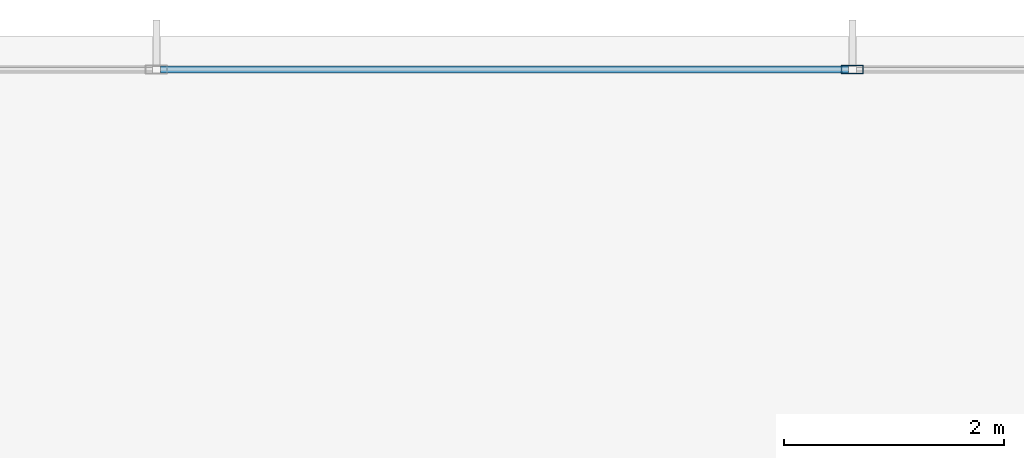
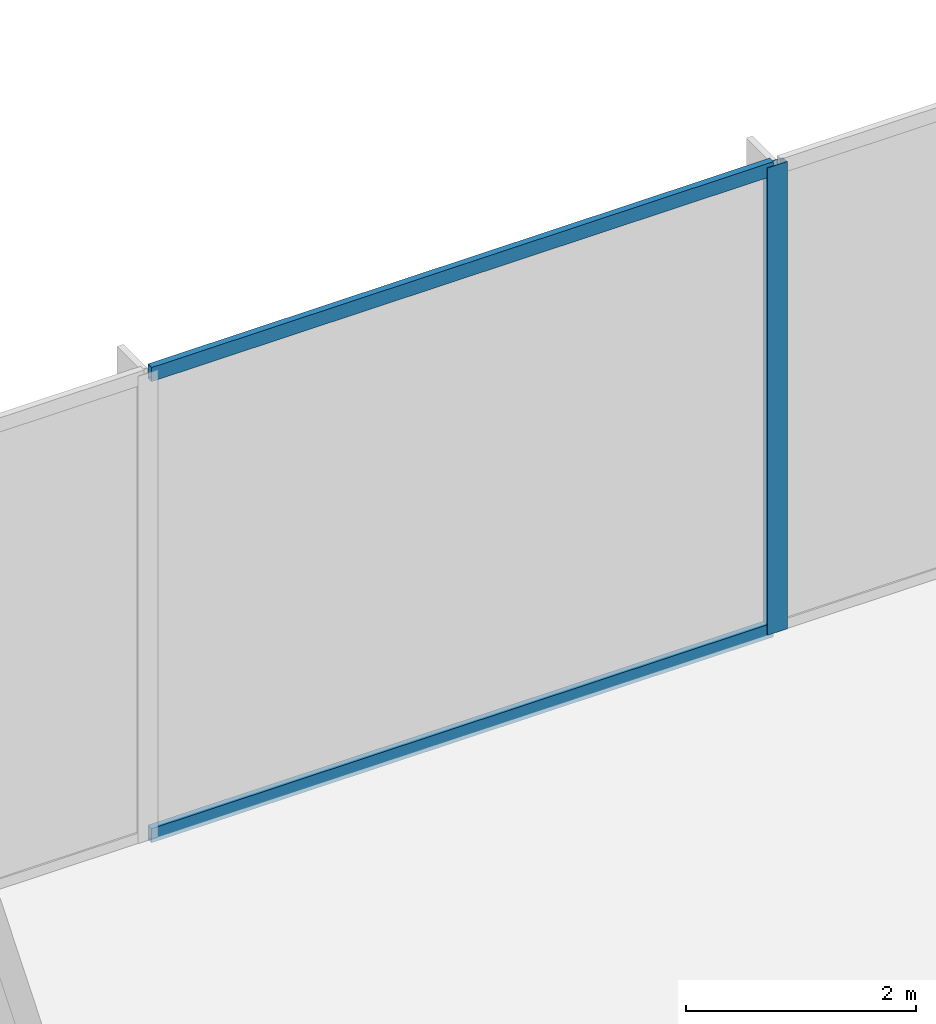
# One storey, part 26 of 43: 3 members, 1 element without a shape of its own.
"""IFC4 building model written with IfcOpenShell, lengths in metres."""

import ifcopenshell
import ifcopenshell.guid

model = None  # the IFC model being written
_history = None  # IfcOwnerHistory: only IFC2X3 demands one
_inside = {}  # id of a spatial element -> (the spatial element, [elements in it])
_under = {}  # id of a project, library or spatial element -> (it, [spatial elements below it])
_declared = {}  # id of a project -> (the project, [libraries it declares])
_typed = {}  # id of a type object -> (the type object, [elements of that type])
_made_of = {}  # id of a material, layer set ... -> (it, [elements and type objects made of it])


def new_model(schema):
    """Start an empty IFC model of exactly this schema.

    Asked for "IFC4X3", IfcOpenShell would pick the latest addendum, in which some entities
    have other attributes; the version numbers below select the first issue.
    IFC2X3 requires an IfcOwnerHistory on every rooted entity: one is made here for all.
    """
    global model, _history
    if schema == "IFC4X3":
        model = ifcopenshell.file(schema_version=(4, 3, 0, 0))
    else:
        model = ifcopenshell.file(schema=schema)
    _inside.clear()
    _under.clear()
    _declared.clear()
    _typed.clear()
    _made_of.clear()
    _history = None
    if model.schema == "IFC2X3":
        org = make("IfcOrganization", Name="unknown")
        user = make(
            "IfcPersonAndOrganization",
            ThePerson=make("IfcPerson", FamilyName="unknown"),
            TheOrganization=org,
        )
        app = make(
            "IfcApplication",
            ApplicationDeveloper=org,
            Version="unknown",
            ApplicationFullName="unknown",
            ApplicationIdentifier="unknown",
        )
        _history = make(
            "IfcOwnerHistory",
            OwningUser=user,
            OwningApplication=app,
            ChangeAction="ADDED",
            CreationDate=0,
        )
    return model


def make(cls, **values):
    """One entity of the class cls with the attributes given. An attribute that is None is left unset."""
    return model.create_entity(
        cls, **{name: value for name, value in values.items() if value is not None}
    )


def rooted(cls, **values):
    """An entity with a GlobalId (a new one), such as an element, a storey or a relation."""
    return make(cls, GlobalId=ifcopenshell.guid.new(), OwnerHistory=_history, **values)


def si_unit(unit_type, name, prefix=None):
    """IfcSIUnit, for example si_unit("LENGTHUNIT", "METRE", prefix="MILLI")."""
    return make("IfcSIUnit", UnitType=unit_type, Prefix=prefix, Name=name)


def assignment(units):
    """IfcUnitAssignment: the units of a project."""
    return None if units is None else make("IfcUnitAssignment", Units=units)


def point(xyz):
    """IfcCartesianPoint."""
    return None if xyz is None else make("IfcCartesianPoint", Coordinates=xyz)


def direction(xyz):
    """IfcDirection."""
    return None if xyz is None else make("IfcDirection", DirectionRatios=xyz)


def frame(location, z_axis=None, x_axis=None):
    """IfcAxis2Placement3D, a coordinate frame: its origin and axes. An axis left out is left unset."""
    return make(
        "IfcAxis2Placement3D",
        Location=point(location),
        Axis=direction(z_axis),
        RefDirection=direction(x_axis),
    )


def frame_2d(location, x_axis=None):
    """IfcAxis2Placement2D, a coordinate frame in the plane: its origin and x axis."""
    return make(
        "IfcAxis2Placement2D", Location=point(location), RefDirection=direction(x_axis)
    )


def origin():
    """The frame at (0, 0, 0) with its axes left unset."""
    return frame((0.0, 0.0, 0.0))


def origin_2d():
    """The frame at (0, 0) in the plane with its x axis left unset."""
    return frame_2d((0.0, 0.0))


def place(relative_to, where):
    """IfcLocalPlacement: puts the frame where relative to a parent placement (None: the world)."""
    return make(
        "IfcLocalPlacement", PlacementRelTo=relative_to, RelativePlacement=where
    )


def context(
    kind, dimensions, precision=None, world=None, true_north=None, identifier=None
):
    """IfcGeometricRepresentationContext, for example the 3D "Model" context."""
    return make(
        "IfcGeometricRepresentationContext",
        ContextIdentifier=identifier,
        ContextType=kind,
        CoordinateSpaceDimension=dimensions,
        Precision=precision,
        WorldCoordinateSystem=world,
        TrueNorth=true_north,
    )


def subcontext(parent, identifier, kind, view, scale=None):
    """IfcGeometricRepresentationSubContext, for example "Body" below "Model"."""
    return make(
        "IfcGeometricRepresentationSubContext",
        ContextIdentifier=identifier,
        ContextType=kind,
        ParentContext=parent,
        TargetScale=scale,
        TargetView=view,
    )


def project(units=None, contexts=None):
    """IfcProject with its units and contexts."""
    return rooted(
        "IfcProject",
        Name="project",
        RepresentationContexts=contexts,
        UnitsInContext=assignment(units),
    )


def spatial(cls, under=None, at=None, **own):
    """A site, building, storey or space (cls), placed at a placement, below another one or the project."""
    s = rooted(cls, ObjectPlacement=at, **own)
    if under is not None:
        _under.setdefault(under.id(), (under, []))[1].append(s)
    return s


def profile(cls, at=None, kind="AREA", **sizes):
    """A parametric profile (cls). Its sizes go by their IFC names, for example OverallWidth=200.0."""
    return make(cls, ProfileType=kind, Position=at, **sizes)


def hollow_rectangle(**sizes):
    """IfcRectangleHollowProfileDef."""
    return profile("IfcRectangleHollowProfileDef", **sizes)


def extrude(swept, where, along, depth):
    """IfcExtrudedAreaSolid: the profile swept, set in the frame where, extruded along a direction by depth."""
    return make(
        "IfcExtrudedAreaSolid",
        SweptArea=swept,
        Position=where,
        ExtrudedDirection=direction(along),
        Depth=depth,
    )


def shape(context_of_items, identifier, shape_type, items):
    """IfcShapeRepresentation: the items that make up one representation, for example the "Body"."""
    return make(
        "IfcShapeRepresentation",
        ContextOfItems=context_of_items,
        RepresentationIdentifier=identifier,
        RepresentationType=shape_type,
        Items=items,
    )


def material(Name=None, Category=None):
    """IfcMaterial."""
    return make("IfcMaterial", Name=Name, Category=Category)


def layer(
    of_material, thickness, ventilated=None, Name=None, Category=None, Priority=None
):
    """IfcMaterialLayer: one layer of a wall or slab, of a material (None: an air gap)."""
    return make(
        "IfcMaterialLayer",
        Material=of_material,
        LayerThickness=thickness,
        IsVentilated=ventilated,
        Name=Name,
        Category=Category,
        Priority=Priority,
    )


def layer_set(layers, Name=None):
    """IfcMaterialLayerSet."""
    return make("IfcMaterialLayerSet", MaterialLayers=layers, LayerSetName=Name)


def material_profile(
    of_material, cross_section, Name=None, Category=None, Priority=None
):
    """IfcMaterialProfile: a cross section and its material."""
    return make(
        "IfcMaterialProfile",
        Name=Name,
        Material=of_material,
        Profile=cross_section,
        Priority=Priority,
        Category=Category,
    )


def profile_set(profiles, Name=None, composite=None):
    """IfcMaterialProfileSet."""
    return make(
        "IfcMaterialProfileSet",
        Name=Name,
        MaterialProfiles=profiles,
        CompositeProfile=composite,
    )


def made_of(thing, what):
    """Note that an element or type object is made of a material, layer set ...; save() writes the relation."""
    if what is not None:
        _made_of.setdefault(what.id(), (what, []))[1].append(thing)
    return thing


def type_object(cls, material=None, **own):
    """A type object (cls), such as IfcWallType, which elements share."""
    return made_of(rooted(cls, **own), material)


def element(
    cls,
    number,
    at=None,
    inside=None,
    cuts=None,
    type_object=None,
    material=None,
    context=None,
    identifier="Body",
    shape_type=None,
    held_by="IfcProductDefinitionShape",
    body=None,
    shapes=None,
    **own,
):
    """One element of the class cls, such as IfcWall. Its Tag is "e" and its number.

    at: its placement. inside: the storey or other place that contains it. cuts: it is an
    opening in that element (IfcRelVoidsElement). A single representation is given by context,
    identifier, shape_type and body (its items); several are given by shapes. held_by: the class
    of the entity that holds the representations. save() writes the other relations.
    """
    e = rooted(cls, Tag="e%d" % number, ObjectPlacement=at, **own)
    if body is not None:
        shapes = [shape(context, identifier, shape_type, body)]
    if shapes is not None:
        e.Representation = make(held_by, Representations=shapes)
    if inside is not None:
        _inside.setdefault(inside.id(), (inside, []))[1].append(e)
    if cuts is not None:
        rooted(
            "IfcRelVoidsElement", RelatingBuildingElement=cuts, RelatedOpeningElement=e
        )
    if type_object is not None:
        _typed.setdefault(type_object.id(), (type_object, []))[1].append(e)
    return made_of(e, material)


def aggregate(whole, parts):
    """IfcRelAggregates: a whole, such as a stair, and the parts it consists of."""
    return rooted("IfcRelAggregates", RelatingObject=whole, RelatedObjects=parts)


def save(model, path):
    """Write the relations noted so far, then the file.

    IfcRelAggregates (storeys below a building ...), IfcRelContainedInSpatialStructure (elements
    in a storey), IfcRelDefinesByType, IfcRelAssociatesMaterial and IfcRelDeclares: one each for
    every whole, place, type object, material and project.
    """
    for whole, parts in _under.values():
        aggregate(whole, parts)
    for where, things in _inside.values():
        rooted(
            "IfcRelContainedInSpatialStructure",
            RelatedElements=things,
            RelatingStructure=where,
        )
    for kind, things in _typed.values():
        rooted("IfcRelDefinesByType", RelatedObjects=things, RelatingType=kind)
    for what, things in _made_of.values():
        rooted("IfcRelAssociatesMaterial", RelatedObjects=things, RelatingMaterial=what)
    for by, libraries in _declared.values():
        rooted("IfcRelDeclares", RelatingContext=by, RelatedDefinitions=libraries)
    model.write(path)


model = new_model("IFC4")

# Units and contexts
model_context = context("Model", 3, precision=1e-05, world=origin(), true_north=direction((0.0, 1.0)))
body_context = subcontext(model_context, "Body", "Model", "MODEL_VIEW")
ifc_project = project(units=[si_unit("LENGTHUNIT", "METRE"), si_unit("AREAUNIT", "SQUARE_METRE"), si_unit("VOLUMEUNIT", "CUBIC_METRE"), si_unit("PLANEANGLEUNIT", "RADIAN"), si_unit("MASSUNIT", "GRAM", prefix="KILO")], contexts=[model_context])

# Site, building, storey
site_placement = place(None, origin())
site = spatial("IfcSite", under=ifc_project, at=site_placement, CompositionType="ELEMENT")
building_placement = place(site_placement, origin())
building = spatial("IfcBuilding", under=site, at=building_placement, Name="Orvanel Arch Residences", CompositionType="ELEMENT")
storey_placement = place(building_placement, frame((0.0, 0.0, 18.39990234375)))
storey = spatial("IfcBuildingStorey", under=building, at=storey_placement, Name="L04", CompositionType="ELEMENT", Elevation=18.39990234375)

# Curtain wall, members
ifc_material = material(Name="Bronze-anodised aluminium AA6063-T6", Category="aluminium")
ifc_layer = layer(ifc_material, 0.199951171875)
ifc_layer_set = layer_set([ifc_layer], Name="Bronze-anodised aluminium AA6063-T6")
curtain_wall_type = type_object("IfcCurtainWallType", Name="CW1-POD-SYS", PredefinedType="NOTDEFINED", material=ifc_layer_set)
curtain_wall_placement = place(storey_placement, origin())
curtain_wall = element("IfcCurtainWall", 1, at=curtain_wall_placement, inside=storey, type_object=curtain_wall_type, Name="L04 CW1-POD-SYS Unitised Curtain Wall", PredefinedType="NOTDEFINED")
ifc_material_profile_1 = material_profile(ifc_material, hollow_rectangle(XDim=0.074951171875, YDim=0.199951171875, WallThickness=0.0048828125, at=origin_2d()), Name="ALU200x75x5")
ifc_profile_set_1 = profile_set([ifc_material_profile_1], Name="Bronze-anodised aluminium AA6063-T6")
member_type_1 = type_object("IfcMemberType", Name="MUL-200x75", PredefinedType="MULLION", material=ifc_profile_set_1)
member_1_placement = place(storey_placement, frame((33.0, 54.25, 0.0), z_axis=(0.0, 0.0, 1.0), x_axis=(0.0, -1.0, 0.0)))
member_1 = element("IfcMember", 2, at=member_1_placement, type_object=member_type_1, Name="CW-S1 mullion 6", PredefinedType="MULLION", context=body_context, shape_type="SweptSolid", body=[
    extrude(hollow_rectangle(XDim=0.074951171875, YDim=0.199951171875, WallThickness=0.0048828125, at=origin_2d()), origin(), (0.0, 0.0, 1.0), 4.960205078125),
])
ifc_material_profile_2 = material_profile(ifc_material, hollow_rectangle(XDim=0.06494140625, YDim=0.14990234375, WallThickness=0.00390625, at=origin_2d()), Name="ALU150x65x4")
ifc_profile_set_2 = profile_set([ifc_material_profile_2], Name="Bronze-anodised aluminium AA6063-T6")
member_type_2 = type_object("IfcMemberType", Name="TRN-150x65", PredefinedType="USERDEFINED", material=ifc_profile_set_2)
member_2_placement = place(storey_placement, frame((32.96240234375, 54.25, 0.03271484375), z_axis=(-1.0, 0.0, 0.0), x_axis=(0.0, -1.0, 0.0)))
member_2 = element("IfcMember", 3, at=member_2_placement, type_object=member_type_2, Name="CW-S1 transom 6.1", ObjectType="TRANSOM", PredefinedType="USERDEFINED", context=body_context, shape_type="SweptSolid", body=[
    extrude(hollow_rectangle(XDim=0.06494140625, YDim=0.14990234375, WallThickness=0.00390625, at=origin_2d()), origin(), (0.0, 0.0, 1.0), 6.242919921875),
])
member_3_placement = place(storey_placement, frame((32.96240234375, 54.25, 4.927490234375), z_axis=(-1.0, 0.0, 0.0), x_axis=(0.0, -1.0, 0.0)))
member_3 = element("IfcMember", 4, at=member_3_placement, type_object=member_type_2, Name="CW-S1 transom 6.2", ObjectType="TRANSOM", PredefinedType="USERDEFINED", context=body_context, shape_type="SweptSolid", body=[
    extrude(hollow_rectangle(XDim=0.06494140625, YDim=0.14990234375, WallThickness=0.00390625, at=origin_2d()), origin(), (0.0, 0.0, 1.0), 6.242919921875),
])
aggregate(curtain_wall, [member_1, member_2, member_3])

save(model, "model.ifc")
